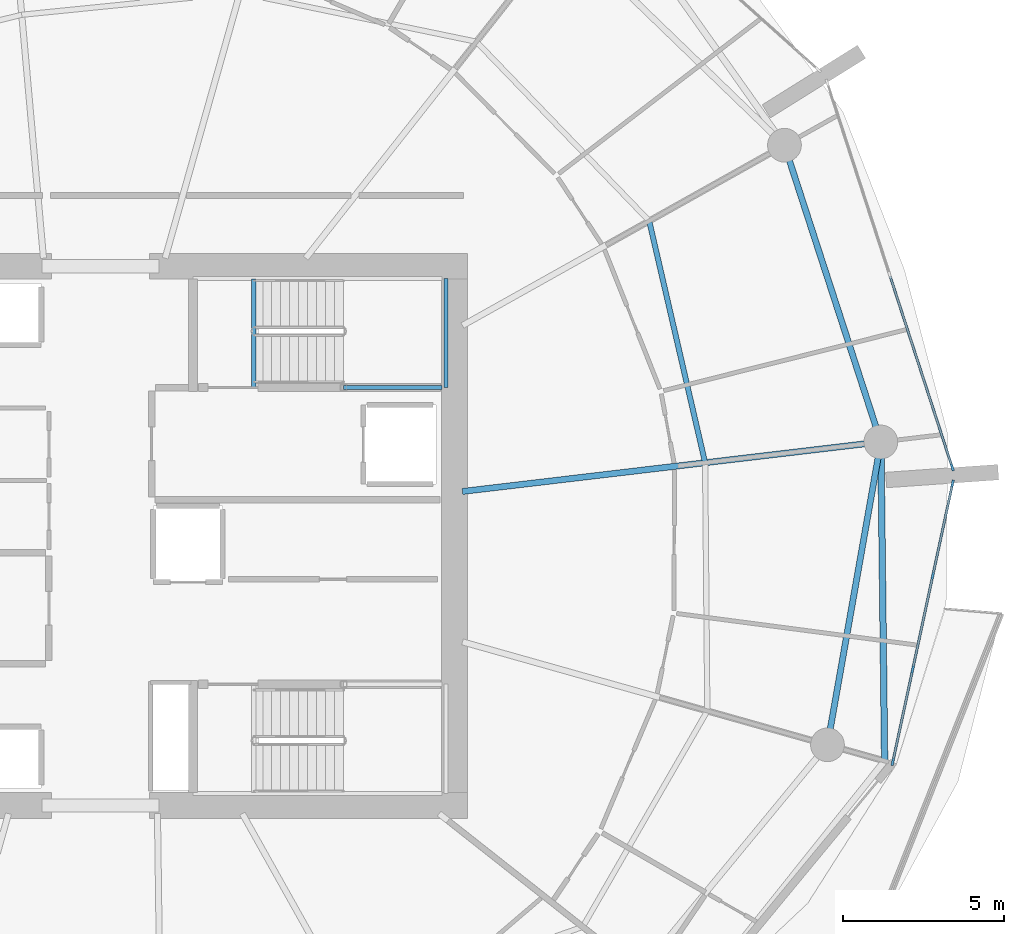
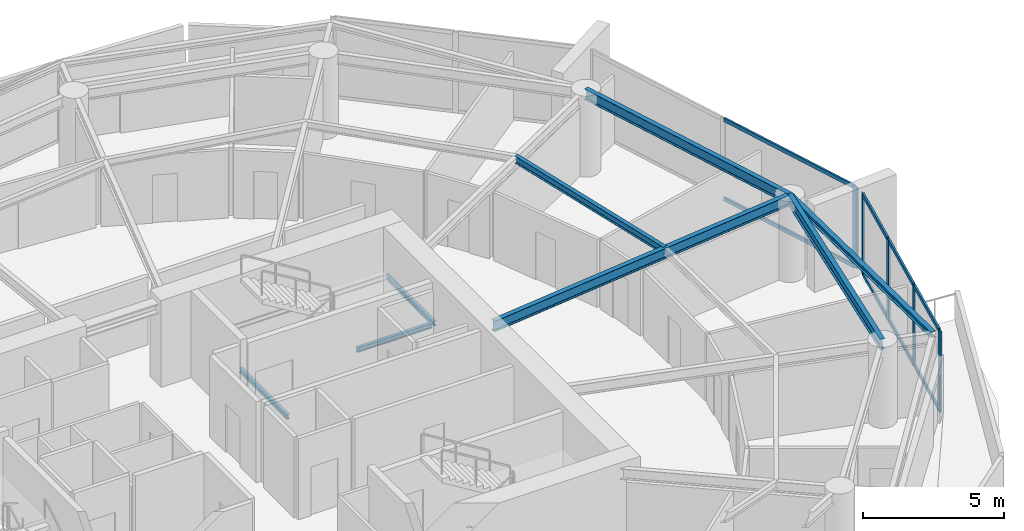
# One storey, part 7 of 20: 13 members, 8 beams, 2 elements without a shape of their own.
"""IFC4 building model written with IfcOpenShell, lengths in metres."""

from ifc_helpers import new_model, si_unit, direction, frame, origin, origin_2d, place, context, subcontext, project, spatial, rectangle, i_section, extrude, material, layer, layer_set, material_profile, profile_set, type_object, element, aggregate, save


model = new_model("IFC4")

# Units and contexts
model_context = context("Model", 3, precision=1e-05, world=origin(), true_north=direction((0.0, 1.0)))
body_context = subcontext(model_context, "Body", "Model", "MODEL_VIEW")
ifc_project = project(units=[si_unit("LENGTHUNIT", "METRE"), si_unit("AREAUNIT", "SQUARE_METRE"), si_unit("VOLUMEUNIT", "CUBIC_METRE"), si_unit("PLANEANGLEUNIT", "RADIAN"), si_unit("MASSUNIT", "GRAM", prefix="KILO")], contexts=[model_context])

# Site, building, storey
site_placement = place(None, origin())
site = spatial("IfcSite", under=ifc_project, at=site_placement, CompositionType="ELEMENT")
building_placement = place(site_placement, origin())
building = spatial("IfcBuilding", under=site, at=building_placement, Name="Kazma Halo Residences", CompositionType="ELEMENT")
storey_placement = place(building_placement, frame((0.0, 0.0, 131.550048828125)))
storey = spatial("IfcBuildingStorey", under=building, at=storey_placement, Name="L32", CompositionType="ELEMENT", Elevation=131.550048828125)

# Beams
ifc_material_1 = material(Name="Steel S355", Category="steel")
ifc_material_profile_1 = material_profile(ifc_material_1, i_section(OverallWidth=0.201904296875, OverallDepth=0.2470703125, WebThickness=0.00732421875, FlangeThickness=0.010986328125, FilletRadius=0.011962890625, at=origin_2d()), Name="W250x49.1")
ifc_profile_set_1 = profile_set([ifc_material_profile_1], Name="Steel S355")
beam_type_1 = type_object("IfcBeamType", Name="BM-BAL-CANT", PredefinedType="BEAM", material=ifc_profile_set_1)
beam_1_placement = place(storey_placement, frame((72.850341796875, 34.991455078125, 3.37646484375), z_axis=(-0.011793371143, 0.99993045578, 0.0), x_axis=(-0.99993045578, -0.011793371143, 0.0)))
element("IfcBeam", 1, at=beam_1_placement, inside=storey, type_object=beam_type_1, Name="L32 wave-balcony tie beam 15", PredefinedType="BEAM", context=body_context, shape_type="SweptSolid", body=[
    extrude(i_section(OverallWidth=0.201904296875, OverallDepth=0.2470703125, WebThickness=0.00732421875, FlangeThickness=0.010986328125, FilletRadius=0.011962890625, at=origin_2d()), origin(), (0.0, 0.0, 1.0), 9.936767578125),
])
ifc_material_profile_2 = material_profile(ifc_material_1, i_section(OverallWidth=0.18994140625, OverallDepth=0.45703125, WebThickness=0.009033203125, FlangeThickness=0.014404296875, FilletRadius=0.01611328125, at=origin_2d()), Name="W460x74")
ifc_profile_set_2 = profile_set([ifc_material_profile_2], Name="Steel S355")
beam_type_2 = type_object("IfcBeamType", Name="BM-RAD-W460", PredefinedType="BEAM", material=ifc_profile_set_2)
beam_2_placement = place(storey_placement, frame((59.699951171875, 43.384765625, 3.271484375), z_axis=(0.993067181848, 0.117548170278, 0.0), x_axis=(-0.117548170278, 0.993067181848, 0.0)))
element("IfcBeam", 2, at=beam_2_placement, inside=storey, type_object=beam_type_2, Name="L32 radial floor beam 16", PredefinedType="BEAM", context=body_context, shape_type="SweptSolid", body=[
    extrude(i_section(OverallWidth=0.18994140625, OverallDepth=0.45703125, WebThickness=0.009033203125, FlangeThickness=0.014404296875, FilletRadius=0.01611328125, at=origin_2d()), origin(), (0.0, 0.0, 1.0), 13.124267578125),
])
ifc_material_profile_3 = material_profile(ifc_material_1, i_section(OverallWidth=0.1650390625, OverallDepth=0.31005859375, WebThickness=0.005859375, FlangeThickness=0.009765625, FilletRadius=0.011962890625, at=origin_2d()), Name="W310x38.7")
ifc_profile_set_3 = profile_set([ifc_material_profile_3], Name="Steel S355")
beam_type_3 = type_object("IfcBeamType", Name="BM-SEC-W310B", PredefinedType="JOIST", material=ifc_profile_set_3)
beam_3_placement = place(storey_placement, frame((67.25927734375, 44.279541015625, 3.344970703125), z_axis=(-0.225330067077, 0.97428248515, 0.0), x_axis=(-0.97428248515, -0.225330067077, 0.0)))
element("IfcBeam", 3, at=beam_3_placement, inside=storey, type_object=beam_type_3, Name="L32 circumferential floor joist 16", PredefinedType="JOIST", context=body_context, shape_type="SweptSolid", body=[
    extrude(i_section(OverallWidth=0.1650390625, OverallDepth=0.31005859375, WebThickness=0.005859375, FlangeThickness=0.009765625, FilletRadius=0.011962890625, at=origin_2d()), origin(), (0.0, 0.0, 1.0), 7.7294921875),
])
ifc_material_profile_4 = material_profile(ifc_material_1, i_section(OverallWidth=0.18994140625, OverallDepth=0.45703125, WebThickness=0.009033203125, FlangeThickness=0.014404296875, FilletRadius=0.01611328125, at=origin_2d()), Name="W460x74")
ifc_profile_set_4 = profile_set([ifc_material_profile_4], Name="Steel S355")
beam_type_4 = type_object("IfcBeamType", Name="BM-SPN-W460", PredefinedType="BEAM", material=ifc_profile_set_4)
beam_4_placement = place(storey_placement, frame((71.06982421875, 35.49365234375, 3.271484375), z_axis=(0.173637033425, 0.984809717978, 0.0), x_axis=(-0.984809717978, 0.173637033425, 0.0)))
element("IfcBeam", 4, at=beam_4_placement, inside=storey, type_object=beam_type_4, Name="L32 perimeter ring beam 15", PredefinedType="BEAM", context=body_context, shape_type="SweptSolid", body=[
    extrude(i_section(OverallWidth=0.18994140625, OverallDepth=0.45703125, WebThickness=0.009033203125, FlangeThickness=0.014404296875, FilletRadius=0.01611328125, at=origin_2d()), origin(), (0.0, 0.0, 1.0), 9.579345703125),
])
beam_5_placement = place(storey_placement, frame((72.733154296875, 44.927490234375, 3.271484375), z_axis=(-0.309020741629, 0.95105529873, 0.0), x_axis=(-0.95105529873, -0.309020741629, 0.0)))
element("IfcBeam", 5, at=beam_5_placement, inside=storey, type_object=beam_type_4, Name="L32 perimeter ring beam 16", PredefinedType="BEAM", context=body_context, shape_type="SweptSolid", body=[
    extrude(i_section(OverallWidth=0.18994140625, OverallDepth=0.45703125, WebThickness=0.009033203125, FlangeThickness=0.014404296875, FilletRadius=0.01611328125, at=origin_2d()), origin(), (0.0, 0.0, 1.0), 9.717529296875),
])
ifc_material_profile_5 = material_profile(ifc_material_1, i_section(OverallWidth=0.133056640625, OverallDepth=0.20703125, WebThickness=0.005859375, FlangeThickness=0.00830078125, FilletRadius=0.010009765625, at=origin_2d()), Name="W200x26.6")
ifc_profile_set_5 = profile_set([ifc_material_profile_5], Name="Steel S355")
beam_type_5 = type_object("IfcBeamType", Name="BM-TRIM-W200", PredefinedType="BEAM", material=ifc_profile_set_5)
beam_6_placement = place(storey_placement, frame((53.199951171875, 46.6201171875, -0.360107421875), z_axis=(0.0, 1.0, 0.0), x_axis=(-1.0, 0.0, 0.0)))
element("IfcBeam", 6, at=beam_6_placement, inside=storey, type_object=beam_type_5, Name="L32 ST-02 floor landing support beam", PredefinedType="BEAM", context=body_context, shape_type="SweptSolid", body=[
    extrude(i_section(OverallWidth=0.133056640625, OverallDepth=0.20703125, WebThickness=0.005859375, FlangeThickness=0.00830078125, FilletRadius=0.010009765625, at=origin_2d()), origin(), (0.0, 0.0, 1.0), 3.3798828125),
])
beam_7_placement = place(storey_placement, frame((56.0, 46.6201171875, 1.570068359375), z_axis=(1.0, 0.0, 0.0), x_axis=(0.0, 1.0, 0.0)))
element("IfcBeam", 7, at=beam_7_placement, inside=storey, type_object=beam_type_5, Name="L32 ST-02 landing south wall ledger", PredefinedType="BEAM", context=body_context, shape_type="SweptSolid", body=[
    extrude(i_section(OverallWidth=0.133056640625, OverallDepth=0.20703125, WebThickness=0.005859375, FlangeThickness=0.00830078125, FilletRadius=0.010009765625, at=origin_2d()), origin(), (0.0, 0.0, 1.0), 3.070068359375),
])
beam_8_placement = place(storey_placement, frame((59.18994140625, 46.6201171875, 1.570068359375), z_axis=(0.0, 1.0, 0.0), x_axis=(-1.0, 0.0, 0.0)))
element("IfcBeam", 8, at=beam_8_placement, inside=storey, type_object=beam_type_5, Name="L32 ST-02 landing end wall ledger", PredefinedType="BEAM", context=body_context, shape_type="SweptSolid", body=[
    extrude(i_section(OverallWidth=0.133056640625, OverallDepth=0.20703125, WebThickness=0.005859375, FlangeThickness=0.00830078125, FilletRadius=0.010009765625, at=origin_2d()), origin(), (0.0, 0.0, 1.0), 3.39990234375),
])

# Curtain wall, members
ifc_material_2 = material(Name="Aluminium AW-6063 T6 and Triple-Silver Low-E Glass", Category="aluminium")
ifc_layer = layer(ifc_material_2, 0.219970703125)
ifc_layer_set = layer_set([ifc_layer], Name="Aluminium AW-6063 T6 and Triple-Silver Low-E Glass")
curtain_wall_type = type_object("IfcCurtainWallType", Name="CW-SYS-4", PredefinedType="NOTDEFINED", material=ifc_layer_set)
curtain_wall_1_placement = place(storey_placement, origin())
curtain_wall_1 = element("IfcCurtainWall", 9, at=curtain_wall_1_placement, inside=storey, type_object=curtain_wall_type, Name="L32 unitised curtain wall B15", PredefinedType="NOTDEFINED")
ifc_material_3 = material(Name="Aluminium AW-6063 T6", Category="aluminium")
ifc_material_profile_6 = material_profile(ifc_material_3, rectangle(XDim=0.074951171875, YDim=0.219970703125, at=origin_2d()), Name="CWM-75x220")
ifc_profile_set_6 = profile_set([ifc_material_profile_6], Name="Aluminium AW-6063 T6")
member_type_1 = type_object("IfcMemberType", Name="CW-SYS-4-MUL", PredefinedType="MULLION", material=ifc_profile_set_6)
member_1_placement = place(storey_placement, frame((73.105224609375, 34.95849609375, 0.0), z_axis=(0.0, 0.0, 1.0), x_axis=(-0.977764957684, 0.209703809037, 0.0)))
member_1 = element("IfcMember", 10, at=member_1_placement, type_object=member_type_1, Name="CWS-4 mullion 1", PredefinedType="MULLION", context=body_context, shape_type="SweptSolid", body=[
    extrude(rectangle(XDim=0.074951171875, YDim=0.219970703125, at=origin_2d()), origin(), (0.0, 0.0, 1.0), 3.5),
])
member_2_placement = place(storey_placement, frame((73.72314453125, 37.839111328125, 0.0), z_axis=(0.0, 0.0, 1.0), x_axis=(-0.977764957684, 0.209703809037, 0.0)))
member_2 = element("IfcMember", 11, at=member_2_placement, type_object=member_type_1, Name="CWS-4 mullion 2", PredefinedType="MULLION", context=body_context, shape_type="SweptSolid", body=[
    extrude(rectangle(XDim=0.074951171875, YDim=0.219970703125, at=origin_2d()), origin(), (0.0, 0.0, 1.0), 3.5),
])
member_3_placement = place(storey_placement, frame((74.3486328125, 40.75634765625, 0.0), z_axis=(0.0, 0.0, 1.0), x_axis=(-0.977764957684, 0.209703809037, 0.0)))
member_3 = element("IfcMember", 12, at=member_3_placement, type_object=member_type_1, Name="CWS-4 mullion 3", PredefinedType="MULLION", context=body_context, shape_type="SweptSolid", body=[
    extrude(rectangle(XDim=0.074951171875, YDim=0.219970703125, at=origin_2d()), origin(), (0.0, 0.0, 1.0), 3.5),
])
member_4_placement = place(storey_placement, frame((74.966552734375, 43.63671875, 0.0), z_axis=(0.0, 0.0, 1.0), x_axis=(-0.977764957684, 0.209703809037, 0.0)))
member_4 = element("IfcMember", 13, at=member_4_placement, type_object=member_type_1, Name="CWS-4 mullion 4", PredefinedType="MULLION", context=body_context, shape_type="SweptSolid", body=[
    extrude(rectangle(XDim=0.074951171875, YDim=0.219970703125, at=origin_2d()), origin(), (0.0, 0.0, 1.0), 3.5),
])

# Curtain wall, member
curtain_wall_2_placement = place(storey_placement, origin())
curtain_wall_2 = element("IfcCurtainWall", 14, at=curtain_wall_2_placement, inside=storey, type_object=curtain_wall_type, Name="L32 unitised curtain wall B16", PredefinedType="NOTDEFINED")
member_5_placement = place(storey_placement, frame((74.955810546875, 44.13427734375, 0.0), z_axis=(0.0, 0.0, 1.0), x_axis=(-0.951057547609, -0.3090138203, 0.0)))
member_5 = element("IfcMember", 15, at=member_5_placement, type_object=member_type_1, Name="CWS-4 mullion 1", PredefinedType="MULLION", context=body_context, shape_type="SweptSolid", body=[
    extrude(rectangle(XDim=0.074951171875, YDim=0.219970703125, at=origin_2d()), origin(), (0.0, 0.0, 1.0), 3.5),
])

# Member
ifc_material_profile_7 = material_profile(ifc_material_3, rectangle(XDim=0.074951171875, YDim=0.1650390625, at=origin_2d()), Name="CWT-75x165")
ifc_profile_set_7 = profile_set([ifc_material_profile_7], Name="Aluminium AW-6063 T6")
member_type_2 = type_object("IfcMemberType", Name="CW-SYS-4-TRN", PredefinedType="USERDEFINED", material=ifc_profile_set_7)
member_6_placement = place(storey_placement, frame((73.113037109375, 34.9951171875, 0.037353515625), z_axis=(0.209703309269, 0.977765064871, 0.0), x_axis=(-0.977765064871, 0.209703309269, 0.0)))
member_6 = element("IfcMember", 16, at=member_6_placement, type_object=member_type_2, Name="CWS-4 transom 1.1", ObjectType="TRANSOM", PredefinedType="USERDEFINED", context=body_context, shape_type="SweptSolid", body=[
    extrude(rectangle(XDim=0.074951171875, YDim=0.1650390625, at=origin_2d()), origin(), (0.0, 0.0, 1.0), 2.870849609375),
])

member_7_placement = place(storey_placement, frame((73.113037109375, 34.9951171875, 3.46240234375), z_axis=(0.209703309269, 0.977765064871, 0.0), x_axis=(-0.977765064871, 0.209703309269, 0.0)))
member_7 = element("IfcMember", 17, at=member_7_placement, type_object=member_type_2, Name="CWS-4 transom 1.2", ObjectType="TRANSOM", PredefinedType="USERDEFINED", context=body_context, shape_type="SweptSolid", body=[
    extrude(rectangle(XDim=0.074951171875, YDim=0.1650390625, at=origin_2d()), origin(), (0.0, 0.0, 1.0), 2.870849609375),
])

member_8_placement = place(storey_placement, frame((73.73095703125, 37.875732421875, 0.037353515625), z_axis=(0.209689601293, 0.977768004748, 0.0), x_axis=(-0.977768004748, 0.209689601293, 0.0)))
member_8 = element("IfcMember", 18, at=member_8_placement, type_object=member_type_2, Name="CWS-4 transom 2.1", ObjectType="TRANSOM", PredefinedType="USERDEFINED", context=body_context, shape_type="SweptSolid", body=[
    extrude(rectangle(XDim=0.074951171875, YDim=0.1650390625, at=origin_2d()), origin(), (0.0, 0.0, 1.0), 2.908447265625),
])

member_9_placement = place(storey_placement, frame((73.73095703125, 37.875732421875, 3.46240234375), z_axis=(0.209689601293, 0.977768004748, 0.0), x_axis=(-0.977768004748, 0.209689601293, 0.0)))
member_9 = element("IfcMember", 19, at=member_9_placement, type_object=member_type_2, Name="CWS-4 transom 2.2", ObjectType="TRANSOM", PredefinedType="USERDEFINED", context=body_context, shape_type="SweptSolid", body=[
    extrude(rectangle(XDim=0.074951171875, YDim=0.1650390625, at=origin_2d()), origin(), (0.0, 0.0, 1.0), 2.908447265625),
])

member_10_placement = place(storey_placement, frame((74.356689453125, 40.79296875, 0.037353515625), z_axis=(0.209703309269, 0.977765064871, 0.0), x_axis=(-0.977765064871, 0.209703309269, 0.0)))
member_10 = element("IfcMember", 20, at=member_10_placement, type_object=member_type_2, Name="CWS-4 transom 3.1", ObjectType="TRANSOM", PredefinedType="USERDEFINED", context=body_context, shape_type="SweptSolid", body=[
    extrude(rectangle(XDim=0.074951171875, YDim=0.1650390625, at=origin_2d()), origin(), (0.0, 0.0, 1.0), 2.870849609375),
])

member_11_placement = place(storey_placement, frame((74.356689453125, 40.79296875, 3.46240234375), z_axis=(0.209703309269, 0.977765064871, 0.0), x_axis=(-0.977765064871, 0.209703309269, 0.0)))
member_11 = element("IfcMember", 21, at=member_11_placement, type_object=member_type_2, Name="CWS-4 transom 3.2", ObjectType="TRANSOM", PredefinedType="USERDEFINED", context=body_context, shape_type="SweptSolid", body=[
    extrude(rectangle(XDim=0.074951171875, YDim=0.1650390625, at=origin_2d()), origin(), (0.0, 0.0, 1.0), 2.870849609375),
])

aggregate(curtain_wall_1, [member_1, member_2, member_3, member_4, member_6, member_7, member_8, member_9, member_10, member_11])

member_12_placement = place(storey_placement, frame((74.9443359375, 44.169921875, 0.037353515625), z_axis=(-0.309006258762, 0.95106000444, 0.0), x_axis=(-0.95106000444, -0.309006258762, 0.0)))
member_12 = element("IfcMember", 22, at=member_12_placement, type_object=member_type_2, Name="CWS-4 transom 1.1", ObjectType="TRANSOM", PredefinedType="USERDEFINED", context=body_context, shape_type="SweptSolid", body=[
    extrude(rectangle(XDim=0.074951171875, YDim=0.1650390625, at=origin_2d()), origin(), (0.0, 0.0, 1.0), 6.22509765625),
])

member_13_placement = place(storey_placement, frame((74.9443359375, 44.169921875, 3.46240234375), z_axis=(-0.309006258762, 0.95106000444, 0.0), x_axis=(-0.95106000444, -0.309006258762, 0.0)))
member_13 = element("IfcMember", 23, at=member_13_placement, type_object=member_type_2, Name="CWS-4 transom 1.2", ObjectType="TRANSOM", PredefinedType="USERDEFINED", context=body_context, shape_type="SweptSolid", body=[
    extrude(rectangle(XDim=0.074951171875, YDim=0.1650390625, at=origin_2d()), origin(), (0.0, 0.0, 1.0), 6.22509765625),
])

aggregate(curtain_wall_2, [member_5, member_12, member_13])

save(model, "model.ifc")
